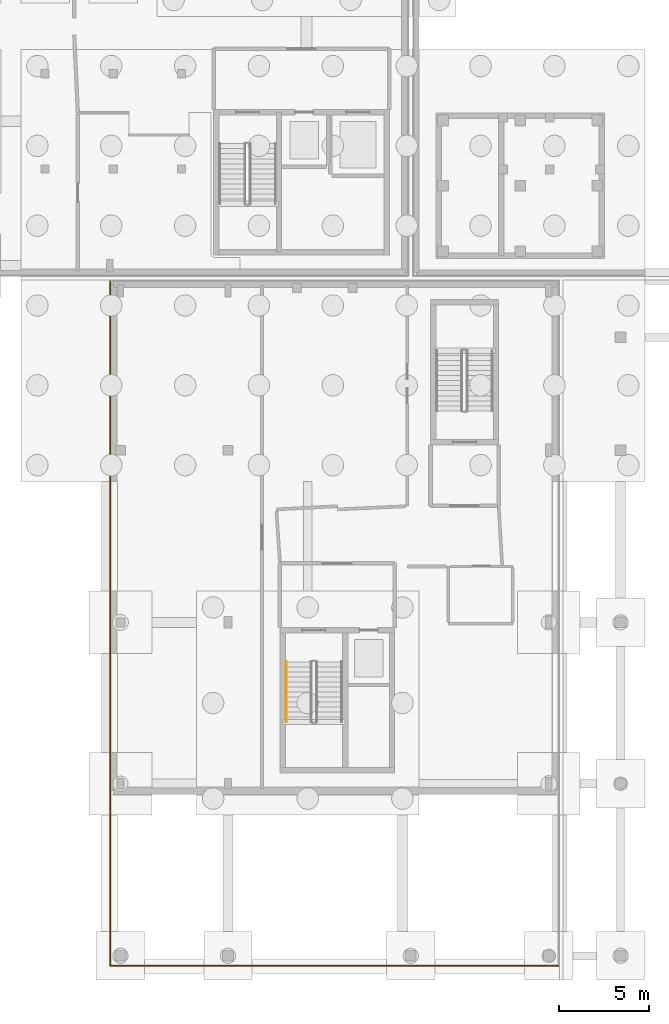
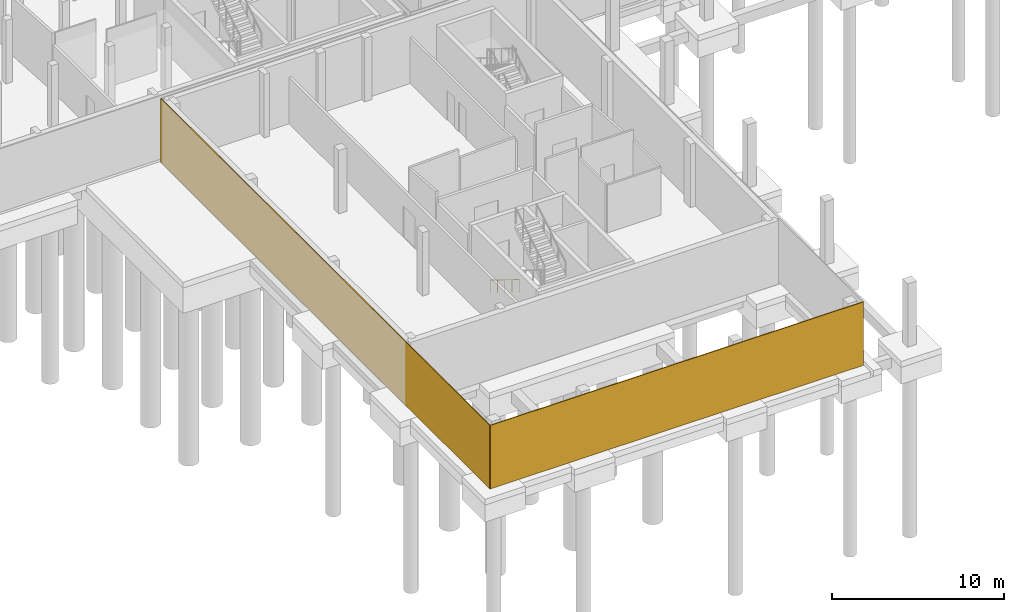
# One storey, part 27 of 40: 2 coverings, 1 railing.
"""IFC4 building model written with IfcOpenShell, lengths in metres."""

from ifc_helpers import new_model, si_unit, direction, frame, origin, origin_2d, place, context, subcontext, project, spatial, rectangle, circle, extrude, material, layer, layer_set, type_object, element, save


model = new_model("IFC4")

# Units and contexts
model_context = context("Model", 3, precision=1e-05, world=origin(), true_north=direction((0.0, 1.0)))
body_context = subcontext(model_context, "Body", "Model", "MODEL_VIEW")
ifc_project = project(units=[si_unit("LENGTHUNIT", "METRE"), si_unit("AREAUNIT", "SQUARE_METRE"), si_unit("VOLUMEUNIT", "CUBIC_METRE"), si_unit("PLANEANGLEUNIT", "RADIAN"), si_unit("MASSUNIT", "GRAM", prefix="KILO")], contexts=[model_context])

# Site, building, storey
site_placement = place(None, origin())
site = spatial("IfcSite", under=ifc_project, at=site_placement, CompositionType="ELEMENT")
building_placement = place(site_placement, origin())
building = spatial("IfcBuilding", under=site, at=building_placement, Name="Mzevani Central Library", CompositionType="ELEMENT")
storey_placement = place(building_placement, frame((0.0, 0.0, -4.5)))
storey = spatial("IfcBuildingStorey", under=building, at=storey_placement, Name="B1", CompositionType="ELEMENT", Elevation=-4.5)

# Coverings
ifc_material_1 = material(Name="Limestone ashlar cladding", Category="masonry")
ifc_layer = layer(ifc_material_1, 0.050048828125, Name="Limestone Ashlar Spandrel Cladding")
ifc_layer_set = layer_set([ifc_layer], Name="Limestone ashlar cladding")
covering_type = type_object("IfcCoveringType", Name="Limestone Ashlar Spandrel Cladding", PredefinedType="CLADDING", material=ifc_layer_set)
covering_1_placement = place(storey_placement, frame((41.75, 4.0400390625, 0.0), z_axis=(0.0, 0.0, 1.0), x_axis=(-1.0, 0.0, 0.0)))
element("IfcCovering", 1, at=covering_1_placement, inside=storey, type_object=covering_type, Name="B1 V4 Perimeter Plinth Cladding (52)", PredefinedType="CLADDING", context=body_context, shape_type="SweptSolid", body=[
    extrude(rectangle(XDim=25.02001953125, YDim=0.06005859375, at=origin_2d()), origin(), (0.0, 0.0, 1.0), 4.5),
])
covering_2_placement = place(storey_placement, frame((29.239990234375, 23.14990234375, 0.0), z_axis=(0.0, 0.0, 1.0), x_axis=(0.0, 1.0, 0.0)))
element("IfcCovering", 2, at=covering_2_placement, inside=storey, type_object=covering_type, Name="B1 V4 Perimeter Plinth Cladding (53)", PredefinedType="CLADDING", context=body_context, shape_type="SweptSolid", body=[
    extrude(rectangle(XDim=38.219970703125, YDim=0.06005859375, at=origin_2d()), origin(), (0.0, 0.0, 1.0), 4.5),
])

# Railing
ifc_material_2 = material(Name="Brushed stainless steel rail", Category="steel")
railing_type = type_object("IfcRailingType", Name="Stair Wall Handrail 920", PredefinedType="HANDRAIL", material=ifc_material_2)
railing_placement = place(storey_placement, frame((39.050048828125, 21.0, 0.173095703125)))
element("IfcRailing", 3, at=railing_placement, inside=storey, type_object=railing_type, Name="B1 ST-07 stair handrail 1", PredefinedType="HANDRAIL", context=body_context, shape_type="SweptSolid", body=[
    extrude(circle(Radius=0.02392578125, at=origin_2d()), frame((0.0, 0.0, 0.89599609375), z_axis=(0.0, -0.850623216509, 0.525775754039), x_axis=(1.0, 0.0, 0.0)), (0.0, 0.0, 1.0), 3.9501953125),
    extrude(circle(Radius=0.02099609375, at=origin_2d()), origin(), (0.0, 0.0, 1.0), 0.871826171875),
    extrude(circle(Radius=0.02099609375, at=origin_2d()), frame((0.0, -0.840087890625, 0.519287109375)), (0.0, 0.0, 1.0), 0.871826171875),
    extrude(circle(Radius=0.02099609375, at=origin_2d()), frame((0.0, -1.68017578125, 1.03857421875)), (0.0, 0.0, 1.0), 0.871826171875),
    extrude(circle(Radius=0.02099609375, at=origin_2d()), frame((0.0, -2.52001953125, 1.5576171875)), (0.0, 0.0, 1.0), 0.871826171875),
    extrude(circle(Radius=0.02099609375, at=origin_2d()), frame((0.0, -3.360107421875, 2.076904296875)), (0.0, 0.0, 1.0), 0.871826171875),
])

save(model, "model.ifc")
